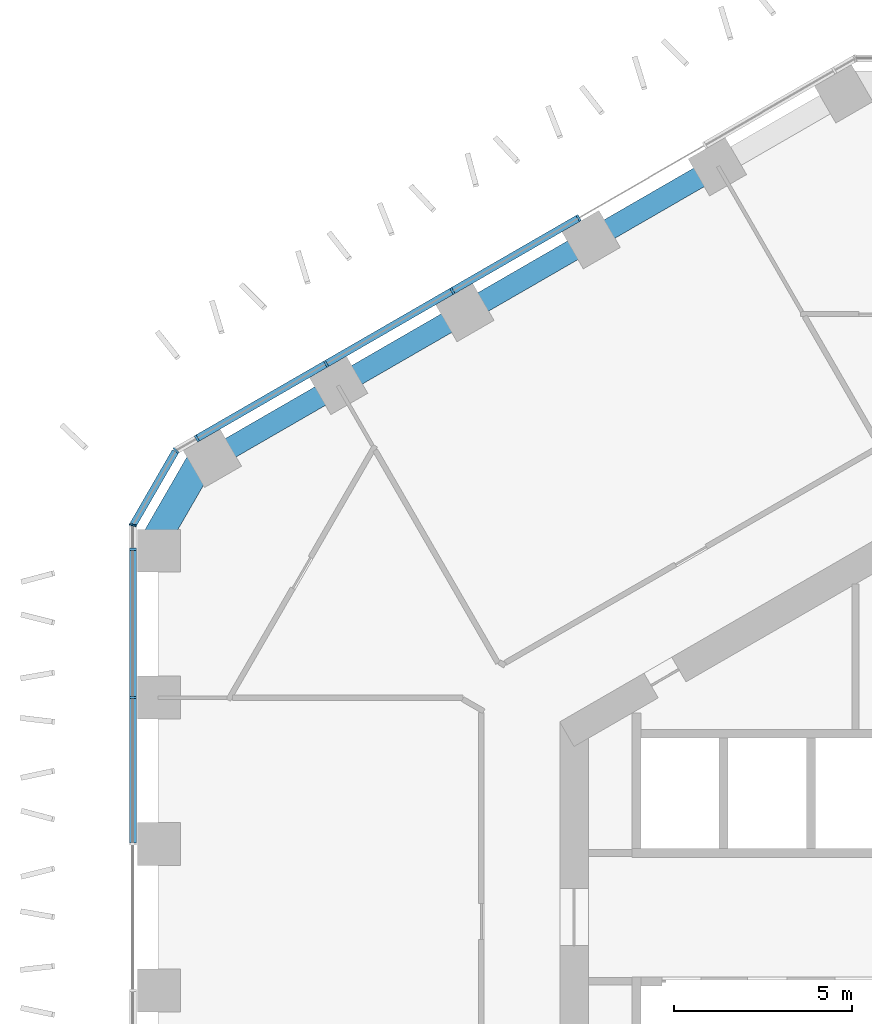
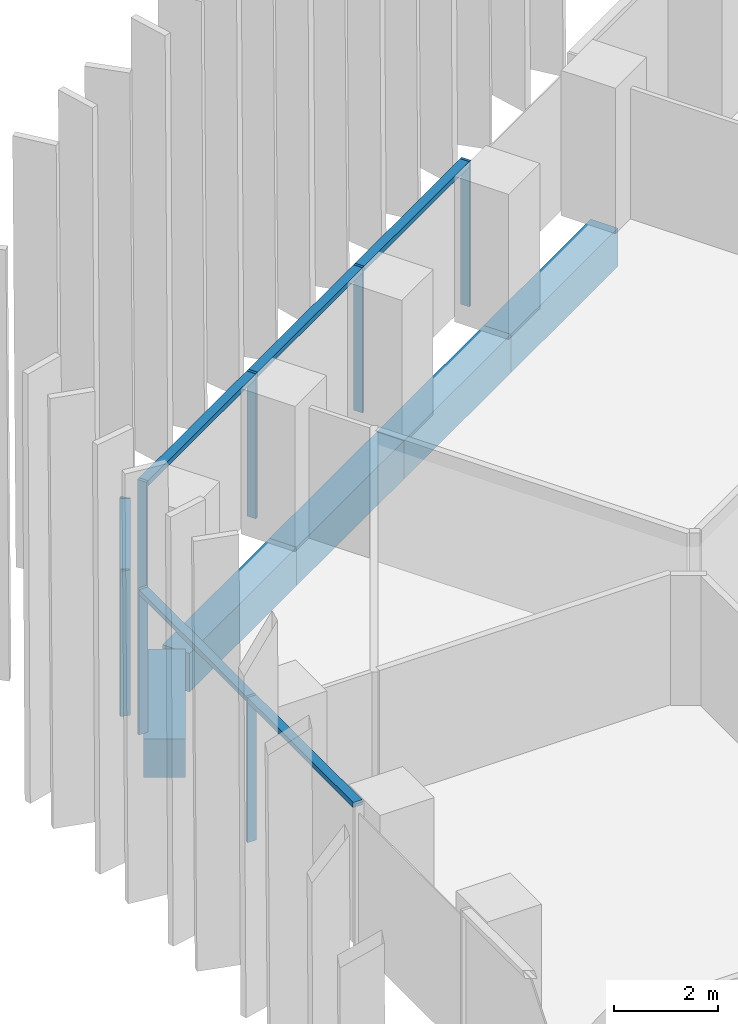
# One storey, part 5 of 18: 11 members, 5 beams, 3 elements without a shape of their own.
"""IFC4 building model written with IfcOpenShell, lengths in metres."""

from ifc_helpers import new_model, si_unit, direction, frame, origin, origin_2d, place, context, subcontext, project, spatial, rectangle, extrude, material, layer, layer_set, material_profile, profile_set, type_object, element, aggregate, save


model = new_model("IFC4")

# Units and contexts
model_context = context("Model", 3, precision=1e-05, world=origin(), true_north=direction((0.0, 1.0)))
body_context = subcontext(model_context, "Body", "Model", "MODEL_VIEW")
ifc_project = project(units=[si_unit("LENGTHUNIT", "METRE"), si_unit("AREAUNIT", "SQUARE_METRE"), si_unit("VOLUMEUNIT", "CUBIC_METRE"), si_unit("PLANEANGLEUNIT", "RADIAN"), si_unit("MASSUNIT", "GRAM", prefix="KILO")], contexts=[model_context])

# Site, building, storey
site_placement = place(None, origin())
site = spatial("IfcSite", under=ifc_project, at=site_placement, CompositionType="ELEMENT")
building_placement = place(site_placement, origin())
building = spatial("IfcBuilding", under=site, at=building_placement, Name="Ayvan Gate Tower", CompositionType="ELEMENT")
storey_placement = place(building_placement, frame((0.0, 0.0, 25.5)))
storey = spatial("IfcBuildingStorey", under=building, at=storey_placement, Name="L05", CompositionType="ELEMENT", Elevation=25.5)

# Beams
ifc_material_1 = material(Name="Concrete C40/50", Category="concrete")
ifc_material_profile_1 = material_profile(ifc_material_1, rectangle(XDim=0.800048828125, YDim=0.89990234375, at=origin_2d()), Name="RC 800x900")
ifc_profile_set_1 = profile_set([ifc_material_profile_1], Name="Concrete C40/50")
beam_type_1 = type_object("IfcBeamType", Name="Corner spandrel beam RC 800x900 C40/50", PredefinedType="BEAM", material=ifc_profile_set_1)
beam_placement = place(storey_placement, frame((-19.47509765625, 12.97607421875, -0.800048828125), z_axis=(-0.499990139034, -0.866031096941, 0.0), x_axis=(0.866031096941, -0.499990139034, 0.0)))
element("IfcBeam", 1, at=beam_placement, inside=storey, type_object=beam_type_1, Name="SB-L05-18", PredefinedType="BEAM", context=body_context, shape_type="SweptSolid", body=[
    extrude(rectangle(XDim=0.800048828125, YDim=0.89990234375, at=origin_2d()), origin(), (0.0, 0.0, 1.0), 3.0),
])
ifc_material_profile_2 = material_profile(ifc_material_1, rectangle(XDim=0.60009765625, YDim=0.89990234375, at=origin_2d()), Name="RC 600x900")
ifc_profile_set_2 = profile_set([ifc_material_profile_2], Name="Concrete C40/50")
beam_type_2 = type_object("IfcBeamType", Name="Spandrel beam RC 600x900 C40/50", PredefinedType="BEAM", material=ifc_profile_set_2)
for number, where, z_axis, x_axis, name in (
    (2, (-5.056884765625, 21.080322265625, -0.800048828125), (-0.866036113234, -0.499981450231, 0.0), (0.499981450231, -0.866036113234, 0.0), "SB-L05-14"),
    (3, (-8.61376953125, 19.02685546875, -0.800048828125), (-0.866010373586, -0.500026032164, 0.0), (0.500026032164, -0.866010373586, 0.0), "SB-L05-15"),
    (4, (-12.170654296875, 16.97314453125, -0.800048828125), (-0.866050971923, -0.499955712069, 0.0), (0.499955712069, -0.866050971923, 0.0), "SB-L05-16"),
    (5, (-15.727783203125, 14.919677734375, -0.800048828125), (-0.866010373586, -0.500026032164, 0.0), (0.500026032164, -0.866010373586, 0.0), "SB-L05-17"),
):
    element("IfcBeam", number, at=place(storey_placement, frame(where, z_axis=z_axis, x_axis=x_axis)), inside=storey, type_object=beam_type_2, Name=name, PredefinedType="BEAM", context=body_context, shape_type="SweptSolid", body=[
        extrude(rectangle(XDim=0.60009765625, YDim=0.89990234375, at=origin_2d()), origin(), (0.0, 0.0, 1.0), 4.107177734375),
    ])

# Curtain wall, members
ifc_material_2 = material(Name="Bronze anodised aluminium", Category="aluminium")
ifc_layer_1 = layer(ifc_material_2, 0.199951171875)
ifc_layer_set_1 = layer_set([ifc_layer_1], Name="Bronze anodised aluminium")
curtain_wall_type_1 = type_object("IfcCurtainWallType", Name="Stick curtain wall CW-1", PredefinedType="NOTDEFINED", material=ifc_layer_set_1)
curtain_wall_1_placement = place(storey_placement, origin())
curtain_wall_1 = element("IfcCurtainWall", 6, at=curtain_wall_1_placement, inside=storey, type_object=curtain_wall_type_1, Name="Stick curtain wall CW-1 L05", PredefinedType="NOTDEFINED")
ifc_material_profile_3 = material_profile(ifc_material_2, rectangle(XDim=0.199951171875, YDim=0.06005859375, at=origin_2d()), Name="Stick curtain wall CW-1 mullion 200 x 60")
ifc_profile_set_3 = profile_set([ifc_material_profile_3], Name="Bronze anodised aluminium")
member_type_1 = type_object("IfcMemberType", Name="Stick curtain wall CW-1 mullion 200 x 60", PredefinedType="MULLION", material=ifc_profile_set_3)
member_1_placement = place(storey_placement, frame((-8.969482421875, 19.6298828125, 0.0), z_axis=(0.0, 0.0, 1.0), x_axis=(-0.5, 0.866025403784, 0.0)))
member_1 = element("IfcMember", 7, at=member_1_placement, type_object=member_type_1, Name="CW-1 mullion 3", PredefinedType="MULLION", context=body_context, shape_type="SweptSolid", body=[
    extrude(rectangle(XDim=0.199951171875, YDim=0.06005859375, at=origin_2d()), origin(), (0.0, 0.0, 1.0), 3.39990234375),
])
member_2_placement = place(storey_placement, frame((-12.514892578125, 17.582763671875, 0.0), z_axis=(0.0, 0.0, 1.0), x_axis=(-0.5, 0.866025403784, 0.0)))
member_2 = element("IfcMember", 8, at=member_2_placement, type_object=member_type_1, Name="CW-1 mullion 4", PredefinedType="MULLION", context=body_context, shape_type="SweptSolid", body=[
    extrude(rectangle(XDim=0.199951171875, YDim=0.06005859375, at=origin_2d()), origin(), (0.0, 0.0, 1.0), 3.39990234375),
])
member_3_placement = place(storey_placement, frame((-16.0595703125, 15.536376953125, 0.0), z_axis=(0.0, 0.0, 1.0), x_axis=(-0.5, 0.866025403784, 0.0)))
member_3 = element("IfcMember", 9, at=member_3_placement, type_object=member_type_1, Name="CW-1 mullion 5", PredefinedType="MULLION", context=body_context, shape_type="SweptSolid", body=[
    extrude(rectangle(XDim=0.199951171875, YDim=0.06005859375, at=origin_2d()), origin(), (0.0, 0.0, 1.0), 3.39990234375),
])
member_4_placement = place(storey_placement, frame((-19.6884765625, 13.441162109375, 0.0), z_axis=(0.0, 0.0, 1.0), x_axis=(-0.5, 0.866025403784, 0.0)))
member_4 = element("IfcMember", 10, at=member_4_placement, type_object=member_type_1, Name="CW-1 mullion 6", PredefinedType="MULLION", context=body_context, shape_type="SweptSolid", body=[
    extrude(rectangle(XDim=0.199951171875, YDim=0.06005859375, at=origin_2d()), origin(), (0.0, 0.0, 1.0), 3.39990234375),
])

curtain_wall_2_placement = place(storey_placement, origin())
curtain_wall_2 = element("IfcCurtainWall", 11, at=curtain_wall_2_placement, inside=storey, type_object=curtain_wall_type_1, Name="Stick curtain wall CW-1 L05", PredefinedType="NOTDEFINED")
member_5_placement = place(storey_placement, frame((-21.484619140625, 10.330078125, 0.0), z_axis=(0.0, 0.0, 1.0), x_axis=(-1.0, 0.0, 0.0)))
member_5 = element("IfcMember", 12, at=member_5_placement, type_object=member_type_1, Name="CW-1 mullion 1", PredefinedType="MULLION", context=body_context, shape_type="SweptSolid", body=[
    extrude(rectangle(XDim=0.199951171875, YDim=0.06005859375, at=origin_2d()), origin(), (0.0, 0.0, 1.0), 3.39990234375),
])
member_6_placement = place(storey_placement, frame((-21.484619140625, 6.171142578125, 0.0), z_axis=(0.0, 0.0, 1.0), x_axis=(-1.0, 0.0, 0.0)))
member_6 = element("IfcMember", 13, at=member_6_placement, type_object=member_type_1, Name="CW-1 mullion 2", PredefinedType="MULLION", context=body_context, shape_type="SweptSolid", body=[
    extrude(rectangle(XDim=0.199951171875, YDim=0.06005859375, at=origin_2d()), origin(), (0.0, 0.0, 1.0), 3.39990234375),
])

# Member
ifc_material_profile_4 = material_profile(ifc_material_2, rectangle(XDim=0.199951171875, YDim=0.1201171875, at=origin_2d()), Name="Stick curtain wall CW-1 transom 200 x 120")
ifc_profile_set_4 = profile_set([ifc_material_profile_4], Name="Bronze anodised aluminium")
member_type_2 = type_object("IfcMemberType", Name="Stick curtain wall CW-1 transom 200 x 120", PredefinedType="USERDEFINED", material=ifc_profile_set_4)
member_7_placement = place(storey_placement, frame((-8.995361328125, 19.61474609375, 3.340087890625), z_axis=(-0.866028524058, -0.499994595489, 0.0), x_axis=(0.499994595489, -0.866028524058, 0.0)))
member_7 = element("IfcMember", 14, at=member_7_placement, type_object=member_type_2, Name="CW-1 transom 2", ObjectType="TRANSOM", PredefinedType="USERDEFINED", context=body_context, shape_type="SweptSolid", body=[
    extrude(rectangle(XDim=0.199951171875, YDim=0.1201171875, at=origin_2d()), origin(), (0.0, 0.0, 1.0), 12.347412109375),
])

aggregate(curtain_wall_1, [member_1, member_2, member_3, member_4, member_7])

member_8_placement = place(storey_placement, frame((-21.484619140625, 10.330078125, 3.340087890625), z_axis=(0.0, -1.0, 0.0), x_axis=(1.0, 0.0, 0.0)))
member_8 = element("IfcMember", 15, at=member_8_placement, type_object=member_type_2, Name="CW-1 transom 1", ObjectType="TRANSOM", PredefinedType="USERDEFINED", context=body_context, shape_type="SweptSolid", body=[
    extrude(rectangle(XDim=0.199951171875, YDim=0.1201171875, at=origin_2d()), origin(), (0.0, 0.0, 1.0), 8.242919921875),
])

aggregate(curtain_wall_2, [member_5, member_6, member_8])

# Curtain wall, members
ifc_layer_2 = layer(ifc_material_2, 0.199951171875)
ifc_layer_set_2 = layer_set([ifc_layer_2], Name="Bronze anodised aluminium")
curtain_wall_type_2 = type_object("IfcCurtainWallType", Name="Stick curtain wall CW-6", PredefinedType="NOTDEFINED", material=ifc_layer_set_2)
curtain_wall_3_placement = place(storey_placement, origin())
curtain_wall_3 = element("IfcCurtainWall", 16, at=curtain_wall_3_placement, inside=storey, type_object=curtain_wall_type_2, Name="Stick curtain wall CW-6 L05", PredefinedType="NOTDEFINED")
ifc_material_profile_5 = material_profile(ifc_material_2, rectangle(XDim=0.199951171875, YDim=0.050048828125, at=origin_2d()), Name="Stick curtain wall CW-6 mullion 200 x 50")
ifc_profile_set_5 = profile_set([ifc_material_profile_5], Name="Bronze anodised aluminium")
member_type_3 = type_object("IfcMemberType", Name="Stick curtain wall CW-6 mullion 200 x 50", PredefinedType="MULLION", material=ifc_profile_set_5)
member_9_placement = place(storey_placement, frame((-20.27734375, 13.10107421875, 0.0), z_axis=(0.0, 0.0, 1.0), x_axis=(-0.707106781187, 0.707106781187, 0.0)))
member_9 = element("IfcMember", 17, at=member_9_placement, type_object=member_type_3, Name="CW-6 mullion 2", PredefinedType="MULLION", context=body_context, shape_type="SweptSolid", body=[
    extrude(rectangle(XDim=0.199951171875, YDim=0.050048828125, at=origin_2d()), origin(), (0.0, 0.0, 1.0), 3.39990234375),
])
member_10_placement = place(storey_placement, frame((-21.484619140625, 11.010009765625, 0.0), z_axis=(0.0, 0.0, 1.0), x_axis=(-0.965925826289, 0.258819045103, 0.0)))
member_10 = element("IfcMember", 18, at=member_10_placement, type_object=member_type_3, Name="CW-6 mullion 3", PredefinedType="MULLION", context=body_context, shape_type="SweptSolid", body=[
    extrude(rectangle(XDim=0.199951171875, YDim=0.050048828125, at=origin_2d()), origin(), (0.0, 0.0, 1.0), 3.39990234375),
])
ifc_material_profile_6 = material_profile(ifc_material_2, rectangle(XDim=0.199951171875, YDim=0.1201171875, at=origin_2d()), Name="Stick curtain wall CW-6 transom 200 x 120")
ifc_profile_set_6 = profile_set([ifc_material_profile_6], Name="Bronze anodised aluminium")
member_type_4 = type_object("IfcMemberType", Name="Stick curtain wall CW-6 transom 200 x 120", PredefinedType="USERDEFINED", material=ifc_profile_set_6)
member_11_placement = place(storey_placement, frame((-20.289794921875, 13.07958984375, 3.340087890625), z_axis=(-0.500014398087, -0.866017090885, 0.0), x_axis=(0.866017090885, -0.500014398087, 0.0)))
member_11 = element("IfcMember", 19, at=member_11_placement, type_object=member_type_4, Name="CW-6 transom 2", ObjectType="TRANSOM", PredefinedType="USERDEFINED", context=body_context, shape_type="SweptSolid", body=[
    extrude(rectangle(XDim=0.199951171875, YDim=0.1201171875, at=origin_2d()), origin(), (0.0, 0.0, 1.0), 2.36474609375),
])
aggregate(curtain_wall_3, [member_9, member_10, member_11])

save(model, "model.ifc")
